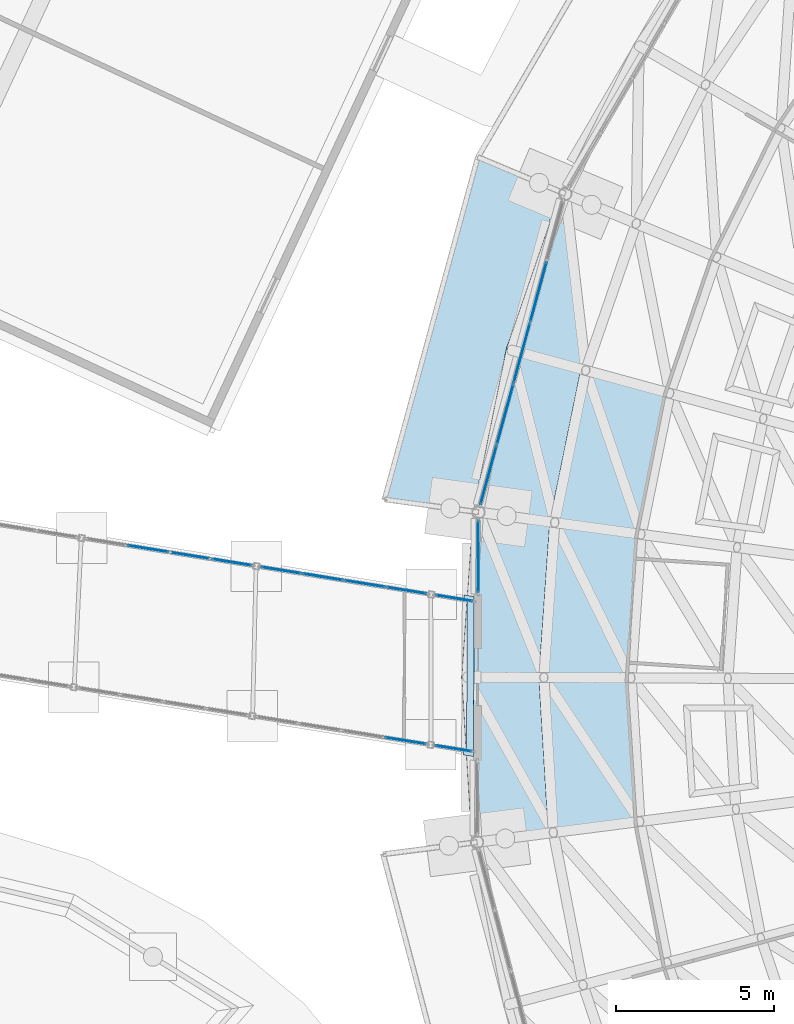
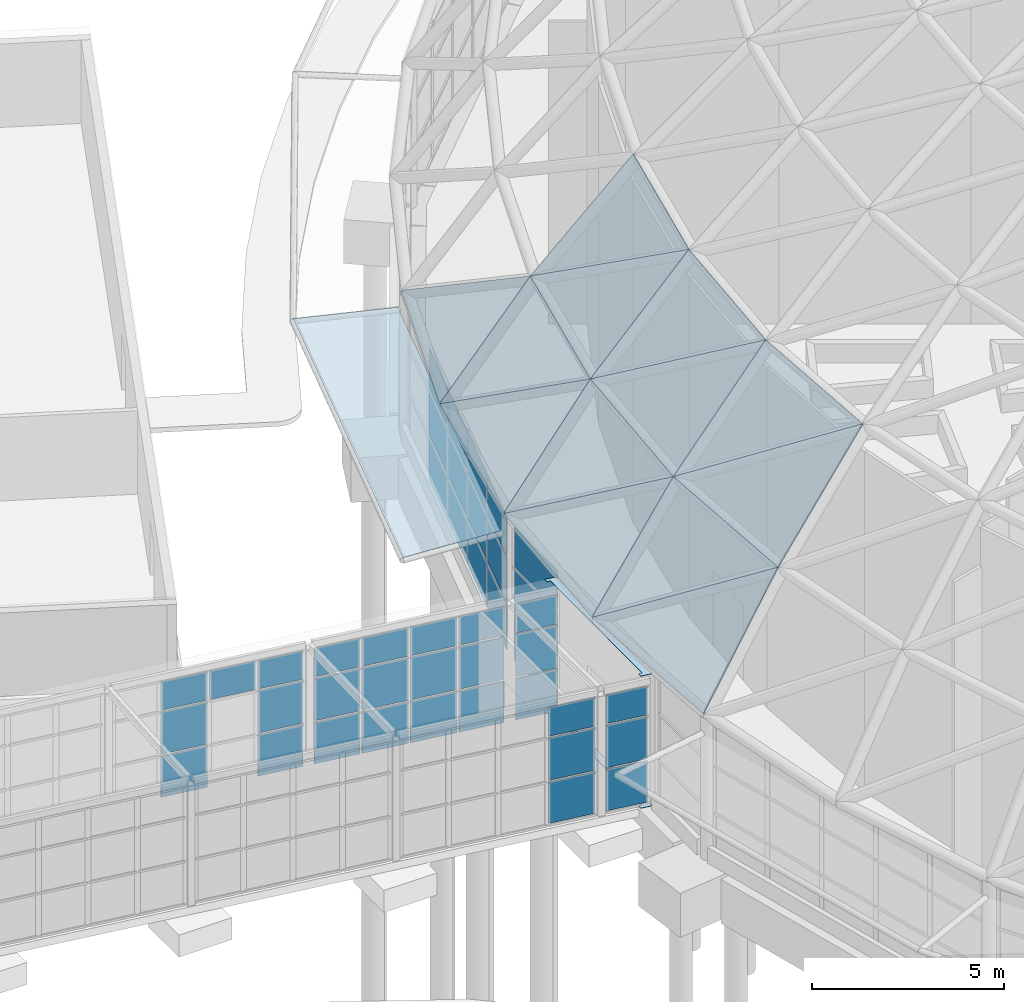
# One storey, part 138 of 226: 59 plates, 7 elements without a shape of their own.
"""IFC4 building model written with IfcOpenShell, lengths in metres."""

from ifc_helpers import new_model, si_unit, direction, frame, origin, origin_2d, place, context, subcontext, project, spatial, polyline, rectangle, outline, extrude, material, layer, layer_set, type_object, element, aggregate, save


model = new_model("IFC4")

# Units and contexts
model_context = context("Model", 3, precision=1e-05, world=origin(), true_north=direction((0.0, 1.0)))
body_context = subcontext(model_context, "Body", "Model", "MODEL_VIEW")
ifc_project = project(units=[si_unit("LENGTHUNIT", "METRE"), si_unit("AREAUNIT", "SQUARE_METRE"), si_unit("VOLUMEUNIT", "CUBIC_METRE"), si_unit("PLANEANGLEUNIT", "RADIAN"), si_unit("MASSUNIT", "GRAM", prefix="KILO")], contexts=[model_context])

# Site, building, storey
site_placement = place(None, origin())
site = spatial("IfcSite", under=ifc_project, at=site_placement, CompositionType="ELEMENT")
building_placement = place(site_placement, origin())
building = spatial("IfcBuilding", under=site, at=building_placement, Name="Ceibo Conservatory and Research Tower", CompositionType="ELEMENT")
storey_placement = place(building_placement, origin())
storey = spatial("IfcBuildingStorey", under=building, at=storey_placement, Name="L00", CompositionType="ELEMENT", Elevation=0.0)

# Plate
ifc_material_1 = material(Name="Laminated glass", Category="glass")
ifc_layer_1 = layer(ifc_material_1, 0.02490234375)
ifc_layer_set_1 = layer_set([ifc_layer_1], Name="Laminated glass")
plate_type_1 = type_object("IfcPlateType", Name="Canopy glass 25", PredefinedType="SHEET", material=ifc_layer_set_1)
plate_1_placement = place(storey_placement, frame((118.88134765625, 123.565185546875, 4.07275390625), z_axis=(0.044187451057, -0.012046679541, -0.998950622744), x_axis=(-0.263021080936, -0.964790086487, 2.86156e-07)))
element("IfcPlate", 1, at=plate_1_placement, inside=storey, type_object=plate_type_1, Name="Brim canopy plate A-CP11", PredefinedType="SHEET", context=body_context, shape_type="SweptSolid", body=[
    extrude(outline(polyline([(0.0, 0.0), (10.507416356783754, 0.0), (10.866318211382298, 2.7293168693180676), (-0.35903950087202957, 2.7291810844894977), (0.0, 0.0)])), origin(), (0.0, 0.0, 1.0), 0.02490234375),
])

# Curtain wall, plates
ifc_material_2 = material(Name="Aluminium and glass", Category="aluminium")
curtain_wall_type_1 = type_object("IfcCurtainWallType", Name="Drum curtain wall", PredefinedType="NOTDEFINED", material=ifc_material_2)
curtain_wall_1_placement = place(storey_placement, origin())
curtain_wall_1 = element("IfcCurtainWall", 2, at=curtain_wall_1_placement, inside=storey, type_object=curtain_wall_type_1, Name="Drum curtain wall A-CW11", PredefinedType="NOTDEFINED")
ifc_layer_2 = layer(ifc_material_1, 0.028076171875)
ifc_layer_set_2 = layer_set([ifc_layer_2], Name="Laminated glass")
plate_type_2 = type_object("IfcPlateType", Name="Drum glass 28", PredefinedType="CURTAIN_PANEL", material=ifc_layer_set_2)
plate_2_placement = place(storey_placement, frame((118.2666015625, 120.36767578125, 0.06005859375), z_axis=(0.0, 0.0, 1.0), x_axis=(-0.263031218095, -0.964787322837, 0.0)))
plate_2 = element("IfcPlate", 3, at=plate_2_placement, type_object=plate_type_2, Name="A-CW11 panel 2.1", PredefinedType="CURTAIN_PANEL", context=body_context, shape_type="SweptSolid", body=[
    extrude(rectangle(XDim=1.947021484375, YDim=0.028076171875, at=origin_2d()), origin(), (0.0, 0.0, 1.0), 1.43994140625),
])
plate_3_placement = place(storey_placement, frame((118.2666015625, 120.36767578125, 1.56005859375), z_axis=(0.0, 0.0, 1.0), x_axis=(-0.263031218095, -0.964787322837, 0.0)))
plate_3 = element("IfcPlate", 4, at=plate_3_placement, type_object=plate_type_2, Name="A-CW11 panel 2.2", PredefinedType="CURTAIN_PANEL", context=body_context, shape_type="SweptSolid", body=[
    extrude(rectangle(XDim=1.947021484375, YDim=0.028076171875, at=origin_2d()), origin(), (0.0, 0.0, 1.0), 1.425048828125),
])
plate_4_placement = place(storey_placement, frame((118.2666015625, 120.36767578125, 3.044921875), z_axis=(0.0, 0.0, 1.0), x_axis=(-0.263031218095, -0.964787322837, 0.0)))
plate_4 = element("IfcPlate", 5, at=plate_4_placement, type_object=plate_type_2, Name="A-CW11 panel 2.3", PredefinedType="CURTAIN_PANEL", context=body_context, shape_type="SweptSolid", body=[
    extrude(rectangle(XDim=1.947021484375, YDim=0.028076171875, at=origin_2d()), origin(), (0.0, 0.0, 1.0), 1.233154296875),
])
plate_5_placement = place(storey_placement, frame((117.73876953125, 118.43115234375, 0.06005859375), z_axis=(0.0, 0.0, 1.0), x_axis=(-0.263031218095, -0.964787322837, 0.0)))
plate_5 = element("IfcPlate", 6, at=plate_5_placement, type_object=plate_type_2, Name="A-CW11 panel 3.1", PredefinedType="CURTAIN_PANEL", context=body_context, shape_type="SweptSolid", body=[
    extrude(rectangle(XDim=1.947021484375, YDim=0.028076171875, at=origin_2d()), origin(), (0.0, 0.0, 1.0), 1.43994140625),
])
plate_6_placement = place(storey_placement, frame((117.73876953125, 118.43115234375, 1.56005859375), z_axis=(0.0, 0.0, 1.0), x_axis=(-0.263031218095, -0.964787322837, 0.0)))
plate_6 = element("IfcPlate", 7, at=plate_6_placement, type_object=plate_type_2, Name="A-CW11 panel 3.2", PredefinedType="CURTAIN_PANEL", context=body_context, shape_type="SweptSolid", body=[
    extrude(rectangle(XDim=1.947021484375, YDim=0.028076171875, at=origin_2d()), origin(), (0.0, 0.0, 1.0), 1.425048828125),
])
plate_7_placement = place(storey_placement, frame((117.73876953125, 118.43115234375, 3.044921875), z_axis=(0.0, 0.0, 1.0), x_axis=(-0.263031218095, -0.964787322837, 0.0)))
plate_7 = element("IfcPlate", 8, at=plate_7_placement, type_object=plate_type_2, Name="A-CW11 panel 3.3", PredefinedType="CURTAIN_PANEL", context=body_context, shape_type="SweptSolid", body=[
    extrude(rectangle(XDim=1.947021484375, YDim=0.028076171875, at=origin_2d()), origin(), (0.0, 0.0, 1.0), 1.233154296875),
])
plate_8_placement = place(storey_placement, frame((117.210693359375, 116.494873046875, 0.06005859375), z_axis=(0.0, 0.0, 1.0), x_axis=(-0.263031218095, -0.964787322837, 0.0)))
plate_8 = element("IfcPlate", 9, at=plate_8_placement, type_object=plate_type_2, Name="A-CW11 panel 4.1", PredefinedType="CURTAIN_PANEL", context=body_context, shape_type="SweptSolid", body=[
    extrude(rectangle(XDim=1.947021484375, YDim=0.028076171875, at=origin_2d()), origin(), (0.0, 0.0, 1.0), 1.43994140625),
])
plate_9_placement = place(storey_placement, frame((117.210693359375, 116.494873046875, 1.56005859375), z_axis=(0.0, 0.0, 1.0), x_axis=(-0.263031218095, -0.964787322837, 0.0)))
plate_9 = element("IfcPlate", 10, at=plate_9_placement, type_object=plate_type_2, Name="A-CW11 panel 4.2", PredefinedType="CURTAIN_PANEL", context=body_context, shape_type="SweptSolid", body=[
    extrude(rectangle(XDim=1.947021484375, YDim=0.028076171875, at=origin_2d()), origin(), (0.0, 0.0, 1.0), 1.425048828125),
])
plate_10_placement = place(storey_placement, frame((117.210693359375, 116.494873046875, 3.044921875), z_axis=(0.0, 0.0, 1.0), x_axis=(-0.263031218095, -0.964787322837, 0.0)))
plate_10 = element("IfcPlate", 11, at=plate_10_placement, type_object=plate_type_2, Name="A-CW11 panel 4.3", PredefinedType="CURTAIN_PANEL", context=body_context, shape_type="SweptSolid", body=[
    extrude(rectangle(XDim=1.947021484375, YDim=0.028076171875, at=origin_2d()), origin(), (0.0, 0.0, 1.0), 1.233154296875),
])
plate_11_placement = place(storey_placement, frame((116.686767578125, 114.57275390625, 0.06005859375), z_axis=(0.0, 0.0, 1.0), x_axis=(-0.263031218095, -0.964787322837, 0.0)))
plate_11 = element("IfcPlate", 12, at=plate_11_placement, type_object=plate_type_2, Name="A-CW11 panel 5.1", PredefinedType="CURTAIN_PANEL", context=body_context, shape_type="SweptSolid", body=[
    extrude(rectangle(XDim=1.917236328125, YDim=0.028076171875, at=origin_2d()), origin(), (0.0, 0.0, 1.0), 1.43994140625),
])
plate_12_placement = place(storey_placement, frame((116.686767578125, 114.57275390625, 1.56005859375), z_axis=(0.0, 0.0, 1.0), x_axis=(-0.263031218095, -0.964787322837, 0.0)))
plate_12 = element("IfcPlate", 13, at=plate_12_placement, type_object=plate_type_2, Name="A-CW11 panel 5.2", PredefinedType="CURTAIN_PANEL", context=body_context, shape_type="SweptSolid", body=[
    extrude(rectangle(XDim=1.917236328125, YDim=0.028076171875, at=origin_2d()), origin(), (0.0, 0.0, 1.0), 1.425048828125),
])
plate_13_placement = place(storey_placement, frame((116.686767578125, 114.57275390625, 3.044921875), z_axis=(0.0, 0.0, 1.0), x_axis=(-0.263031218095, -0.964787322837, 0.0)))
plate_13 = element("IfcPlate", 14, at=plate_13_placement, type_object=plate_type_2, Name="A-CW11 panel 5.3", PredefinedType="CURTAIN_PANEL", context=body_context, shape_type="SweptSolid", body=[
    extrude(rectangle(XDim=1.917236328125, YDim=0.028076171875, at=origin_2d()), origin(), (0.0, 0.0, 1.0), 1.233154296875),
])
aggregate(curtain_wall_1, [plate_2, plate_3, plate_4, plate_5, plate_6, plate_7, plate_8, plate_9, plate_10, plate_11, plate_12, plate_13])

curtain_wall_2_placement = place(storey_placement, origin())
curtain_wall_2 = element("IfcCurtainWall", 15, at=curtain_wall_2_placement, inside=storey, type_object=curtain_wall_type_1, Name="Drum curtain wall A-CW12W", PredefinedType="NOTDEFINED")
plate_14_placement = place(storey_placement, frame((116.359375, 111.996337890625, 0.06005859375), z_axis=(0.0, 0.0, 1.0), x_axis=(-0.004363300488, -0.999990480759, 0.0)))
plate_14 = element("IfcPlate", 16, at=plate_14_placement, type_object=plate_type_2, Name="A-CW12W panel 1.1", PredefinedType="CURTAIN_PANEL", context=body_context, shape_type="SweptSolid", body=[
    extrude(rectangle(XDim=2.26904296875, YDim=0.028076171875, at=origin_2d()), origin(), (0.0, 0.0, 1.0), 1.43994140625),
])
plate_15_placement = place(storey_placement, frame((116.359375, 111.996337890625, 1.56005859375), z_axis=(0.0, 0.0, 1.0), x_axis=(-0.004363300488, -0.999990480759, 0.0)))
plate_15 = element("IfcPlate", 17, at=plate_15_placement, type_object=plate_type_2, Name="A-CW12W panel 1.2", PredefinedType="CURTAIN_PANEL", context=body_context, shape_type="SweptSolid", body=[
    extrude(rectangle(XDim=2.26904296875, YDim=0.028076171875, at=origin_2d()), origin(), (0.0, 0.0, 1.0), 1.425048828125),
])
plate_16_placement = place(storey_placement, frame((116.359375, 111.996337890625, 3.044921875), z_axis=(0.0, 0.0, 1.0), x_axis=(-0.004363300488, -0.999990480759, 0.0)))
plate_16 = element("IfcPlate", 18, at=plate_16_placement, type_object=plate_type_2, Name="A-CW12W panel 1.3", PredefinedType="CURTAIN_PANEL", context=body_context, shape_type="SweptSolid", body=[
    extrude(rectangle(XDim=2.26904296875, YDim=0.028076171875, at=origin_2d()), origin(), (0.0, 0.0, 1.0), 1.233154296875),
])
aggregate(curtain_wall_2, [plate_14, plate_15, plate_16])

curtain_wall_type_2 = type_object("IfcCurtainWallType", Name="Gallery curtain wall", PredefinedType="NOTDEFINED", material=ifc_material_2)
curtain_wall_3_placement = place(storey_placement, origin())
curtain_wall_3 = element("IfcCurtainWall", 19, at=curtain_wall_3_placement, inside=storey, type_object=curtain_wall_type_2, Name="Gallery curtain wall A-RT-CWN01", PredefinedType="NOTDEFINED")
ifc_layer_3 = layer(ifc_material_1, 0.028076171875)
ifc_layer_set_3 = layer_set([ifc_layer_3], Name="Laminated glass")
plate_type_3 = type_object("IfcPlateType", Name="Gallery glass 28", PredefinedType="CURTAIN_PANEL", material=ifc_layer_set_3)
plate_17_placement = place(storey_placement, frame((115.57861328125, 105.916015625, 0.06005859375), z_axis=(0.0, 0.0, 1.0), x_axis=(-0.987215515464, 0.159391110254, 0.0)))
plate_17 = element("IfcPlate", 20, at=plate_17_placement, type_object=plate_type_3, Name="A-RT-CWN01 panel 1.1", PredefinedType="CURTAIN_PANEL", context=body_context, shape_type="SweptSolid", body=[
    extrude(rectangle(XDim=1.153564453125, YDim=0.028076171875, at=origin_2d()), origin(), (0.0, 0.0, 1.0), 1.31005859375),
])
plate_18_placement = place(storey_placement, frame((115.57861328125, 105.916015625, 1.43017578125), z_axis=(0.0, 0.0, 1.0), x_axis=(-0.987215515464, 0.159391110254, 0.0)))
plate_18 = element("IfcPlate", 21, at=plate_18_placement, type_object=plate_type_3, Name="A-RT-CWN01 panel 1.2", PredefinedType="CURTAIN_PANEL", context=body_context, shape_type="SweptSolid", body=[
    extrude(rectangle(XDim=1.153564453125, YDim=0.028076171875, at=origin_2d()), origin(), (0.0, 0.0, 1.0), 1.340087890625),
])
plate_19_placement = place(storey_placement, frame((115.57861328125, 105.916015625, 2.830078125), z_axis=(0.0, 0.0, 1.0), x_axis=(-0.987215515464, 0.159391110254, 0.0)))
plate_19 = element("IfcPlate", 22, at=plate_19_placement, type_object=plate_type_3, Name="A-RT-CWN01 panel 1.3", PredefinedType="CURTAIN_PANEL", context=body_context, shape_type="SweptSolid", body=[
    extrude(rectangle(XDim=1.153564453125, YDim=0.028076171875, at=origin_2d()), origin(), (0.0, 0.0, 1.0), 0.909912109375),
])
aggregate(curtain_wall_3, [plate_17, plate_18, plate_19])

curtain_wall_4_placement = place(storey_placement, origin())
curtain_wall_4 = element("IfcCurtainWall", 23, at=curtain_wall_4_placement, inside=storey, type_object=curtain_wall_type_2, Name="Gallery curtain wall A-RT-CWN02", PredefinedType="NOTDEFINED")
plate_20_placement = place(storey_placement, frame((114.056884765625, 106.16162109375, 0.06005859375), z_axis=(0.0, 0.0, 1.0), x_axis=(-0.987215515464, 0.159391110254, 0.0)))
plate_20 = element("IfcPlate", 24, at=plate_20_placement, type_object=plate_type_3, Name="A-RT-CWN02 panel 1.1", PredefinedType="CURTAIN_PANEL", context=body_context, shape_type="SweptSolid", body=[
    extrude(rectangle(XDim=1.28955078125, YDim=0.028076171875, at=origin_2d()), origin(), (0.0, 0.0, 1.0), 1.31005859375),
])
plate_21_placement = place(storey_placement, frame((114.056884765625, 106.16162109375, 1.43017578125), z_axis=(0.0, 0.0, 1.0), x_axis=(-0.987215515464, 0.159391110254, 0.0)))
plate_21 = element("IfcPlate", 25, at=plate_21_placement, type_object=plate_type_3, Name="A-RT-CWN02 panel 1.2", PredefinedType="CURTAIN_PANEL", context=body_context, shape_type="SweptSolid", body=[
    extrude(rectangle(XDim=1.28955078125, YDim=0.028076171875, at=origin_2d()), origin(), (0.0, 0.0, 1.0), 1.340087890625),
])
plate_22_placement = place(storey_placement, frame((114.056884765625, 106.16162109375, 2.830078125), z_axis=(0.0, 0.0, 1.0), x_axis=(-0.987215515464, 0.159391110254, 0.0)))
plate_22 = element("IfcPlate", 26, at=plate_22_placement, type_object=plate_type_3, Name="A-RT-CWN02 panel 1.3", PredefinedType="CURTAIN_PANEL", context=body_context, shape_type="SweptSolid", body=[
    extrude(rectangle(XDim=1.28955078125, YDim=0.028076171875, at=origin_2d()), origin(), (0.0, 0.0, 1.0), 0.909912109375),
])
aggregate(curtain_wall_4, [plate_20, plate_21, plate_22])

curtain_wall_5_placement = place(storey_placement, origin())
curtain_wall_5 = element("IfcCurtainWall", 27, at=curtain_wall_5_placement, inside=storey, type_object=curtain_wall_type_2, Name="Gallery curtain wall A-RT-CWS01", PredefinedType="NOTDEFINED")
plate_23_placement = place(storey_placement, frame((115.599365234375, 110.67333984375, 0.06005859375), z_axis=(0.0, 0.0, 1.0), x_axis=(-0.987215515464, 0.159391110254, 0.0)))
plate_23 = element("IfcPlate", 28, at=plate_23_placement, type_object=plate_type_3, Name="A-RT-CWS01 panel 1.1", PredefinedType="CURTAIN_PANEL", context=body_context, shape_type="SweptSolid", body=[
    extrude(rectangle(XDim=1.153564453125, YDim=0.028076171875, at=origin_2d()), origin(), (0.0, 0.0, 1.0), 1.31005859375),
])
plate_24_placement = place(storey_placement, frame((115.599365234375, 110.67333984375, 1.43017578125), z_axis=(0.0, 0.0, 1.0), x_axis=(-0.987215515464, 0.159391110254, 0.0)))
plate_24 = element("IfcPlate", 29, at=plate_24_placement, type_object=plate_type_3, Name="A-RT-CWS01 panel 1.2", PredefinedType="CURTAIN_PANEL", context=body_context, shape_type="SweptSolid", body=[
    extrude(rectangle(XDim=1.153564453125, YDim=0.028076171875, at=origin_2d()), origin(), (0.0, 0.0, 1.0), 1.340087890625),
])
plate_25_placement = place(storey_placement, frame((115.599365234375, 110.67333984375, 2.830078125), z_axis=(0.0, 0.0, 1.0), x_axis=(-0.987215515464, 0.159391110254, 0.0)))
plate_25 = element("IfcPlate", 30, at=plate_25_placement, type_object=plate_type_3, Name="A-RT-CWS01 panel 1.3", PredefinedType="CURTAIN_PANEL", context=body_context, shape_type="SweptSolid", body=[
    extrude(rectangle(XDim=1.153564453125, YDim=0.028076171875, at=origin_2d()), origin(), (0.0, 0.0, 1.0), 0.909912109375),
])
aggregate(curtain_wall_5, [plate_23, plate_24, plate_25])

curtain_wall_6_placement = place(storey_placement, origin())
curtain_wall_6 = element("IfcCurtainWall", 31, at=curtain_wall_6_placement, inside=storey, type_object=curtain_wall_type_2, Name="Gallery curtain wall A-RT-CWS02", PredefinedType="NOTDEFINED")
plate_26_placement = place(storey_placement, frame((114.091552734375, 110.9169921875, 0.06005859375), z_axis=(0.0, 0.0, 1.0), x_axis=(-0.987215515464, 0.159391110254, 0.0)))
plate_26 = element("IfcPlate", 32, at=plate_26_placement, type_object=plate_type_3, Name="A-RT-CWS02 panel 1.1", PredefinedType="CURTAIN_PANEL", context=body_context, shape_type="SweptSolid", body=[
    extrude(rectangle(XDim=1.26123046875, YDim=0.028076171875, at=origin_2d()), origin(), (0.0, 0.0, 1.0), 1.31005859375),
])
plate_27_placement = place(storey_placement, frame((114.091552734375, 110.9169921875, 1.43017578125), z_axis=(0.0, 0.0, 1.0), x_axis=(-0.987215515464, 0.159391110254, 0.0)))
plate_27 = element("IfcPlate", 33, at=plate_27_placement, type_object=plate_type_3, Name="A-RT-CWS02 panel 1.2", PredefinedType="CURTAIN_PANEL", context=body_context, shape_type="SweptSolid", body=[
    extrude(rectangle(XDim=1.26123046875, YDim=0.028076171875, at=origin_2d()), origin(), (0.0, 0.0, 1.0), 1.340087890625),
])
plate_28_placement = place(storey_placement, frame((114.091552734375, 110.9169921875, 2.830078125), z_axis=(0.0, 0.0, 1.0), x_axis=(-0.987215515464, 0.159391110254, 0.0)))
plate_28 = element("IfcPlate", 34, at=plate_28_placement, type_object=plate_type_3, Name="A-RT-CWS02 panel 1.3", PredefinedType="CURTAIN_PANEL", context=body_context, shape_type="SweptSolid", body=[
    extrude(rectangle(XDim=1.26123046875, YDim=0.028076171875, at=origin_2d()), origin(), (0.0, 0.0, 1.0), 0.909912109375),
])
plate_29_placement = place(storey_placement, frame((112.772705078125, 111.1298828125, 0.06005859375), z_axis=(0.0, 0.0, 1.0), x_axis=(-0.987215515464, 0.159391110254, 0.0)))
plate_29 = element("IfcPlate", 35, at=plate_29_placement, type_object=plate_type_3, Name="A-RT-CWS02 panel 2.1", PredefinedType="CURTAIN_PANEL", context=body_context, shape_type="SweptSolid", body=[
    extrude(rectangle(XDim=1.291259765625, YDim=0.028076171875, at=origin_2d()), origin(), (0.0, 0.0, 1.0), 1.31005859375),
])
plate_30_placement = place(storey_placement, frame((112.772705078125, 111.1298828125, 1.43017578125), z_axis=(0.0, 0.0, 1.0), x_axis=(-0.987215515464, 0.159391110254, 0.0)))
plate_30 = element("IfcPlate", 36, at=plate_30_placement, type_object=plate_type_3, Name="A-RT-CWS02 panel 2.2", PredefinedType="CURTAIN_PANEL", context=body_context, shape_type="SweptSolid", body=[
    extrude(rectangle(XDim=1.291259765625, YDim=0.028076171875, at=origin_2d()), origin(), (0.0, 0.0, 1.0), 1.340087890625),
])
plate_31_placement = place(storey_placement, frame((112.772705078125, 111.1298828125, 2.830078125), z_axis=(0.0, 0.0, 1.0), x_axis=(-0.987215515464, 0.159391110254, 0.0)))
plate_31 = element("IfcPlate", 37, at=plate_31_placement, type_object=plate_type_3, Name="A-RT-CWS02 panel 2.3", PredefinedType="CURTAIN_PANEL", context=body_context, shape_type="SweptSolid", body=[
    extrude(rectangle(XDim=1.291259765625, YDim=0.028076171875, at=origin_2d()), origin(), (0.0, 0.0, 1.0), 0.909912109375),
])
plate_32_placement = place(storey_placement, frame((111.438720703125, 111.34521484375, 0.06005859375), z_axis=(0.0, 0.0, 1.0), x_axis=(-0.987215515464, 0.159391110254, 0.0)))
plate_32 = element("IfcPlate", 38, at=plate_32_placement, type_object=plate_type_3, Name="A-RT-CWS02 panel 3.1", PredefinedType="CURTAIN_PANEL", context=body_context, shape_type="SweptSolid", body=[
    extrude(rectangle(XDim=1.291259765625, YDim=0.028076171875, at=origin_2d()), origin(), (0.0, 0.0, 1.0), 1.31005859375),
])
plate_33_placement = place(storey_placement, frame((111.438720703125, 111.34521484375, 1.43017578125), z_axis=(0.0, 0.0, 1.0), x_axis=(-0.987215515464, 0.159391110254, 0.0)))
plate_33 = element("IfcPlate", 39, at=plate_33_placement, type_object=plate_type_3, Name="A-RT-CWS02 panel 3.2", PredefinedType="CURTAIN_PANEL", context=body_context, shape_type="SweptSolid", body=[
    extrude(rectangle(XDim=1.291259765625, YDim=0.028076171875, at=origin_2d()), origin(), (0.0, 0.0, 1.0), 1.340087890625),
])
plate_34_placement = place(storey_placement, frame((111.438720703125, 111.34521484375, 2.830078125), z_axis=(0.0, 0.0, 1.0), x_axis=(-0.987215515464, 0.159391110254, 0.0)))
plate_34 = element("IfcPlate", 40, at=plate_34_placement, type_object=plate_type_3, Name="A-RT-CWS02 panel 3.3", PredefinedType="CURTAIN_PANEL", context=body_context, shape_type="SweptSolid", body=[
    extrude(rectangle(XDim=1.291259765625, YDim=0.028076171875, at=origin_2d()), origin(), (0.0, 0.0, 1.0), 0.909912109375),
])
plate_35_placement = place(storey_placement, frame((110.11962890625, 111.55810546875, 0.06005859375), z_axis=(0.0, 0.0, 1.0), x_axis=(-0.987215515464, 0.159391110254, 0.0)))
plate_35 = element("IfcPlate", 41, at=plate_35_placement, type_object=plate_type_3, Name="A-RT-CWS02 panel 4.1", PredefinedType="CURTAIN_PANEL", context=body_context, shape_type="SweptSolid", body=[
    extrude(rectangle(XDim=1.26123046875, YDim=0.028076171875, at=origin_2d()), origin(), (0.0, 0.0, 1.0), 1.31005859375),
])
plate_36_placement = place(storey_placement, frame((110.11962890625, 111.55810546875, 1.43017578125), z_axis=(0.0, 0.0, 1.0), x_axis=(-0.987215515464, 0.159391110254, 0.0)))
plate_36 = element("IfcPlate", 42, at=plate_36_placement, type_object=plate_type_3, Name="A-RT-CWS02 panel 4.2", PredefinedType="CURTAIN_PANEL", context=body_context, shape_type="SweptSolid", body=[
    extrude(rectangle(XDim=1.26123046875, YDim=0.028076171875, at=origin_2d()), origin(), (0.0, 0.0, 1.0), 1.340087890625),
])
plate_37_placement = place(storey_placement, frame((110.11962890625, 111.55810546875, 2.830078125), z_axis=(0.0, 0.0, 1.0), x_axis=(-0.987215515464, 0.159391110254, 0.0)))
plate_37 = element("IfcPlate", 43, at=plate_37_placement, type_object=plate_type_3, Name="A-RT-CWS02 panel 4.3", PredefinedType="CURTAIN_PANEL", context=body_context, shape_type="SweptSolid", body=[
    extrude(rectangle(XDim=1.26123046875, YDim=0.028076171875, at=origin_2d()), origin(), (0.0, 0.0, 1.0), 0.909912109375),
])
aggregate(curtain_wall_6, [plate_26, plate_27, plate_28, plate_29, plate_30, plate_31, plate_32, plate_33, plate_34, plate_35, plate_36, plate_37])

curtain_wall_7_placement = place(storey_placement, origin())
curtain_wall_7 = element("IfcCurtainWall", 44, at=curtain_wall_7_placement, inside=storey, type_object=curtain_wall_type_2, Name="Gallery curtain wall A-RT-CWS03", PredefinedType="NOTDEFINED")
plate_38_placement = place(storey_placement, frame((108.558837890625, 111.810302734375, 0.06005859375), z_axis=(0.0, 0.0, 1.0), x_axis=(-0.987215515464, 0.159391110254, 0.0)))
plate_38 = element("IfcPlate", 45, at=plate_38_placement, type_object=plate_type_3, Name="A-RT-CWS03 panel 1.1", PredefinedType="CURTAIN_PANEL", context=body_context, shape_type="SweptSolid", body=[
    extrude(rectangle(XDim=1.26123046875, YDim=0.028076171875, at=origin_2d()), origin(), (0.0, 0.0, 1.0), 1.31005859375),
])
plate_39_placement = place(storey_placement, frame((108.558837890625, 111.810302734375, 1.43017578125), z_axis=(0.0, 0.0, 1.0), x_axis=(-0.987215515464, 0.159391110254, 0.0)))
plate_39 = element("IfcPlate", 46, at=plate_39_placement, type_object=plate_type_3, Name="A-RT-CWS03 panel 1.2", PredefinedType="CURTAIN_PANEL", context=body_context, shape_type="SweptSolid", body=[
    extrude(rectangle(XDim=1.26123046875, YDim=0.028076171875, at=origin_2d()), origin(), (0.0, 0.0, 1.0), 1.340087890625),
])
plate_40_placement = place(storey_placement, frame((108.558837890625, 111.810302734375, 2.830078125), z_axis=(0.0, 0.0, 1.0), x_axis=(-0.987215515464, 0.159391110254, 0.0)))
plate_40 = element("IfcPlate", 47, at=plate_40_placement, type_object=plate_type_3, Name="A-RT-CWS03 panel 1.3", PredefinedType="CURTAIN_PANEL", context=body_context, shape_type="SweptSolid", body=[
    extrude(rectangle(XDim=1.26123046875, YDim=0.028076171875, at=origin_2d()), origin(), (0.0, 0.0, 1.0), 0.909912109375),
])
plate_41_placement = place(storey_placement, frame((107.23974609375, 112.023193359375, 2.830078125), z_axis=(0.0, 0.0, 1.0), x_axis=(-0.987215515464, 0.159391110254, 0.0)))
plate_41 = element("IfcPlate", 48, at=plate_41_placement, type_object=plate_type_3, Name="A-RT-CWS03 panel 2.3", PredefinedType="CURTAIN_PANEL", context=body_context, shape_type="SweptSolid", body=[
    extrude(rectangle(XDim=1.291259765625, YDim=0.028076171875, at=origin_2d()), origin(), (0.0, 0.0, 1.0), 0.909912109375),
])
plate_42_placement = place(storey_placement, frame((105.90576171875, 112.238525390625, 0.06005859375), z_axis=(0.0, 0.0, 1.0), x_axis=(-0.987215515464, 0.159391110254, 0.0)))
plate_42 = element("IfcPlate", 49, at=plate_42_placement, type_object=plate_type_3, Name="A-RT-CWS03 panel 3.1", PredefinedType="CURTAIN_PANEL", context=body_context, shape_type="SweptSolid", body=[
    extrude(rectangle(XDim=1.291259765625, YDim=0.028076171875, at=origin_2d()), origin(), (0.0, 0.0, 1.0), 1.31005859375),
])
plate_43_placement = place(storey_placement, frame((105.90576171875, 112.238525390625, 1.43017578125), z_axis=(0.0, 0.0, 1.0), x_axis=(-0.987215515464, 0.159391110254, 0.0)))
plate_43 = element("IfcPlate", 50, at=plate_43_placement, type_object=plate_type_3, Name="A-RT-CWS03 panel 3.2", PredefinedType="CURTAIN_PANEL", context=body_context, shape_type="SweptSolid", body=[
    extrude(rectangle(XDim=1.291259765625, YDim=0.028076171875, at=origin_2d()), origin(), (0.0, 0.0, 1.0), 1.340087890625),
])
plate_44_placement = place(storey_placement, frame((105.90576171875, 112.238525390625, 2.830078125), z_axis=(0.0, 0.0, 1.0), x_axis=(-0.987215515464, 0.159391110254, 0.0)))
plate_44 = element("IfcPlate", 51, at=plate_44_placement, type_object=plate_type_3, Name="A-RT-CWS03 panel 3.3", PredefinedType="CURTAIN_PANEL", context=body_context, shape_type="SweptSolid", body=[
    extrude(rectangle(XDim=1.291259765625, YDim=0.028076171875, at=origin_2d()), origin(), (0.0, 0.0, 1.0), 0.909912109375),
])
aggregate(curtain_wall_7, [plate_38, plate_39, plate_40, plate_41, plate_42, plate_43, plate_44])

# Plates
ifc_layer_4 = layer(ifc_material_1, 0.035888671875)
ifc_layer_set_4 = layer_set([ifc_layer_4], Name="Laminated glass")
plate_type_4 = type_object("IfcPlateType", Name="Gridshell roof glass 36", PredefinedType="SHEET", material=ifc_layer_set_4)
plate_45_placement = place(storey_placement, frame((118.95751953125, 123.53271484375, 4.601806640625), z_axis=(-0.784884324718, 0.270165608921, 0.557644277804), x_axis=(-0.325469350574, -0.94555259073, 0.0)))
element("IfcPlate", 52, at=plate_45_placement, inside=storey, type_object=plate_type_4, Name="Glass panel A-P01-041", PredefinedType="SHEET", context=body_context, shape_type="SweptSolid", body=[
    extrude(outline(polyline([(0.0, 0.0), (5.253830919824738, -2.220446049250313e-16), (5.093756462527101, 4.374401715363801), (0.0, 0.0)])), origin(), (0.0, 0.0, -1.0), 0.035888671875),
])
plate_46_placement = place(storey_placement, frame((117.24755859375, 118.56494140625, 4.601806640625), z_axis=(-0.813306753153, 0.165646457928, 0.557757452887), x_axis=(-0.199573086255, -0.979882943643, 0.0)))
element("IfcPlate", 53, at=plate_46_placement, inside=storey, type_object=plate_type_4, Name="Glass panel A-P01-043", PredefinedType="SHEET", context=body_context, shape_type="SweptSolid", body=[
    extrude(outline(polyline([(0.0, 0.0), (5.254135234621774, 1.1102230246251565e-16), (5.093270783912031, 4.374802481067212), (0.0, 0.0)])), origin(), (0.0, 0.0, -1.0), 0.035888671875),
])
plate_47_placement = place(storey_placement, frame((117.24755859375, 118.56494140625, 4.601806640625), z_axis=(-0.8133972624, 0.165554373377, 0.557652797874), x_axis=(0.204717527999, -0.815852073838, 0.540810620591)))
element("IfcPlate", 54, at=plate_47_placement, inside=storey, type_object=plate_type_4, Name="Glass panel A-P01-044", PredefinedType="SHEET", context=body_context, shape_type="SweptSolid", body=[
    extrude(outline(polyline([(0.0, 0.0), (6.714186773288608, 0.0), (2.97084351962559, 3.2148254977767503), (0.0, 0.0)])), origin(), (0.0, 0.0, -1.0), 0.035888671875),
])
plate_48_placement = place(storey_placement, frame((116.198974609375, 113.41650390625, 4.601806640625), z_axis=(-0.827977641225, 0.057895948918, 0.557764363088), x_axis=(-0.06975421024, -0.997564208537, 0.0)))
element("IfcPlate", 55, at=plate_48_placement, inside=storey, type_object=plate_type_4, Name="Glass panel A-P01-045", PredefinedType="SHEET", context=body_context, shape_type="SweptSolid", body=[
    extrude(outline(polyline([(0.0, 0.0), (5.253519133306327, 5.551115123125783e-17), (5.093907858799342, 4.374826957068864), (0.0, 0.0)])), origin(), (0.0, 0.0, -1.0), 0.035888671875),
])
plate_49_placement = place(storey_placement, frame((116.198974609375, 113.41650390625, 4.601806640625), z_axis=(-0.827972302841, 0.057903032785, 0.557771552271), x_axis=(0.309598605144, -0.782122794509, 0.540770411545)))
element("IfcPlate", 56, at=plate_49_placement, inside=storey, type_object=plate_type_4, Name="Glass panel A-P01-046", PredefinedType="SHEET", context=body_context, shape_type="SweptSolid", body=[
    extrude(outline(polyline([(0.0, 0.0), (6.714686007419417, 0.0), (2.971369174010535, 3.214924470589305), (0.0, 0.0)])), origin(), (0.0, 0.0, -1.0), 0.035888671875),
])
plate_50_placement = place(storey_placement, frame((115.83251953125, 108.17578125, 4.601806640625), z_axis=(-0.82850069804, -0.050752079254, 0.557683440491), x_axis=(0.061143125985, -0.998129008768, 0.0)))
element("IfcPlate", 57, at=plate_50_placement, inside=storey, type_object=plate_type_4, Name="Glass panel A-P01-047", PredefinedType="SHEET", context=body_context, shape_type="SweptSolid", body=[
    extrude(outline(polyline([(0.0, 0.0), (5.254704553018939, 0.0), (5.095221856598572, 4.374540373181693), (0.0, 0.0)])), origin(), (0.0, 0.0, -1.0), 0.035888671875),
])
plate_51_placement = place(storey_placement, frame((115.83251953125, 108.17578125, 4.601806640625), z_axis=(-0.8284555689, -0.050672325751, 0.557757730347), x_axis=(0.408991673655, -0.735094368117, 0.54070516998)))
element("IfcPlate", 58, at=plate_51_placement, inside=storey, type_object=plate_type_4, Name="Glass panel A-P01-048", PredefinedType="SHEET", context=body_context, shape_type="SweptSolid", body=[
    extrude(outline(polyline([(0.0, 0.0), (6.715496202408012, -4.440892098500626e-16), (2.971544883548719, 3.2147329077703466), (0.0, 0.0)])), origin(), (0.0, 0.0, -1.0), 0.035888671875),
])
plate_52_placement = place(storey_placement, frame((119.606201171875, 117.92236328125, 8.23291015625), z_axis=(-0.758984606559, 0.154479522799, 0.632517544454), x_axis=(-0.199445244546, -0.979908972521, 0.0)))
element("IfcPlate", 59, at=plate_52_placement, inside=storey, type_object=plate_type_4, Name="Glass panel A-P02-043", PredefinedType="SHEET", context=body_context, shape_type="SweptSolid", body=[
    extrude(outline(polyline([(0.0, 0.0), (4.934341059949136, 1.1102230246251565e-16), (4.753535728578331, 4.373151356466386), (0.0, 0.0)])), origin(), (0.0, 0.0, -1.0), 0.035888671875),
])
plate_53_placement = place(storey_placement, frame((119.606201171875, 117.92236328125, 8.23291015625), z_axis=(-0.759001165089, 0.154463540108, 0.632501577998), x_axis=(0.272861370918, -0.806564454082, 0.524404856644)))
element("IfcPlate", 60, at=plate_53_placement, inside=storey, type_object=plate_type_4, Name="Glass panel A-P02-044", PredefinedType="SHEET", context=body_context, shape_type="SweptSolid", body=[
    extrude(outline(polyline([(0.0, 0.0), (6.459145044774464, 0.0), (3.093974096193284, 3.095789188672262), (0.0, 0.0)])), origin(), (0.0, 0.0, -1.0), 0.035888671875),
])
plate_54_placement = place(storey_placement, frame((118.6220703125, 113.087158203125, 8.23291015625), z_axis=(-0.772716075803, 0.054038769313, 0.632447371413), x_axis=(-0.0697631511, -0.997563583311, 0.0)))
element("IfcPlate", 61, at=plate_54_placement, inside=storey, type_object=plate_type_4, Name="Glass panel A-P02-045", PredefinedType="SHEET", context=body_context, shape_type="SweptSolid", body=[
    extrude(outline(polyline([(0.0, 0.0), (4.93438550043227, 2.7755575615628914e-17), (4.753215307044493, 4.372827859184301), (0.0, 0.0)])), origin(), (0.0, 0.0, -1.0), 0.035888671875),
])
plate_55_placement = place(storey_placement, frame((118.6220703125, 113.087158203125, 8.23291015625), z_axis=(-0.772660529781, 0.054108575487, 0.632509262998), x_axis=(0.375810886491, -0.764020281407, 0.524441786277)))
element("IfcPlate", 62, at=plate_55_placement, inside=storey, type_object=plate_type_4, Name="Glass panel A-P02-046", PredefinedType="SHEET", context=body_context, shape_type="SweptSolid", body=[
    extrude(outline(polyline([(0.0, 0.0), (6.458690210962314, 4.440892098500626e-16), (3.0947228826932616, 3.0951306327440538), (0.0, 0.0)])), origin(), (0.0, 0.0, -1.0), 0.035888671875),
])
plate_56_placement = place(storey_placement, frame((118.27783203125, 108.164794921875, 8.23291015625), z_axis=(-0.773164654537, -0.047290467593, 0.632439743098), x_axis=(0.061050715095, -0.998134665357, 0.0)))
element("IfcPlate", 63, at=plate_56_placement, inside=storey, type_object=plate_type_4, Name="Glass panel A-P02-047", PredefinedType="SHEET", context=body_context, shape_type="SweptSolid", body=[
    extrude(outline(polyline([(0.0, 0.0), (4.9347420546863265, 0.0), (4.752898514135263, 4.372792699188496), (0.0, 0.0)])), origin(), (0.0, 0.0, -1.0), 0.035888671875),
])
plate_57_placement = place(storey_placement, frame((118.27783203125, 108.164794921875, 8.23291015625), z_axis=(-0.773160260098, -0.047283155553, 0.632445662019), x_axis=(0.472333921068, -0.708406377016, 0.524462650732)))
element("IfcPlate", 64, at=plate_57_placement, inside=storey, type_object=plate_type_4, Name="Glass panel A-P02-048", PredefinedType="SHEET", context=body_context, shape_type="SweptSolid", body=[
    extrude(outline(polyline([(0.0, 0.0), (6.458433267886678, 2.220446049250313e-16), (3.0941771989901588, 3.0952404730941234), (0.0, 0.0)])), origin(), (0.0, 0.0, -1.0), 0.035888671875),
])
ifc_material_3 = material(Name="Stainless steel AISI 316", Category="steel")
ifc_layer_5 = layer(ifc_material_3, 0.010009765625)
ifc_layer_set_5 = layer_set([ifc_layer_5], Name="Stainless steel AISI 316")
plate_type_5 = type_object("IfcPlateType", Name="Movement joint floor cover plate 10", PredefinedType="SHEET", material=ifc_layer_set_5)
plate_58_placement = place(storey_placement, origin())
element("IfcPlate", 65, at=plate_58_placement, inside=storey, type_object=plate_type_5, Name="Movement joint cover floor A-RT-JF02", PredefinedType="SHEET", context=body_context, shape_type="SweptSolid", body=[
    extrude(outline(polyline([(115.887451171875, 105.835693359375), (115.9873046875, 105.819580078125), (116.00830078125, 110.6376953125), (115.908447265625, 110.654052734375), (115.908935546875, 110.775390625), (116.228759765625, 110.723876953125), (116.20654296875, 105.66259765625), (115.886962890625, 105.714111328125), (115.887451171875, 105.835693359375)])), origin(), (0.0, 0.0, 1.0), 0.010009765625),
])
ifc_layer_6 = layer(ifc_material_3, 0.010009765625)
ifc_layer_set_6 = layer_set([ifc_layer_6], Name="Stainless steel AISI 316")
plate_type_6 = type_object("IfcPlateType", Name="Movement joint roof cover plate 10", PredefinedType="SHEET", material=ifc_layer_set_6)
plate_59_placement = place(storey_placement, frame((0.0, 0.0, 4.199951171875)))
element("IfcPlate", 66, at=plate_59_placement, inside=storey, type_object=plate_type_6, Name="Movement joint cover roof A-RT-JR02", PredefinedType="SHEET", context=body_context, shape_type="SweptSolid", body=[
    extrude(outline(polyline([(115.887451171875, 105.835693359375), (115.9873046875, 105.819580078125), (116.00830078125, 110.6376953125), (115.908447265625, 110.654052734375), (115.908935546875, 110.775390625), (116.228759765625, 110.723876953125), (116.20654296875, 105.66259765625), (115.886962890625, 105.714111328125), (115.887451171875, 105.835693359375)])), origin(), (0.0, 0.0, 1.0), 0.010009765625),
])

save(model, "model.ifc")
